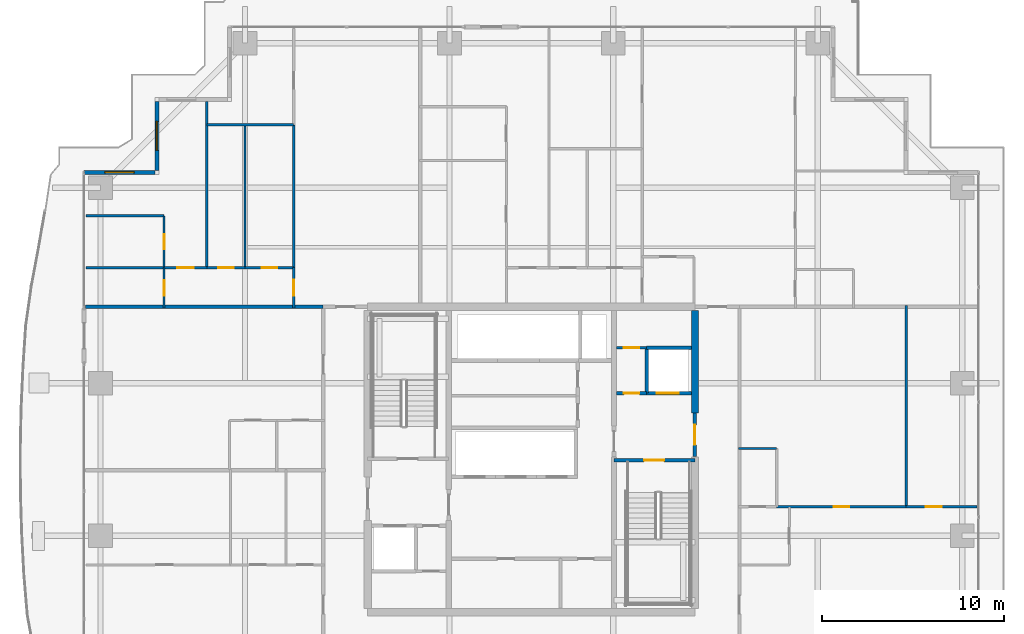
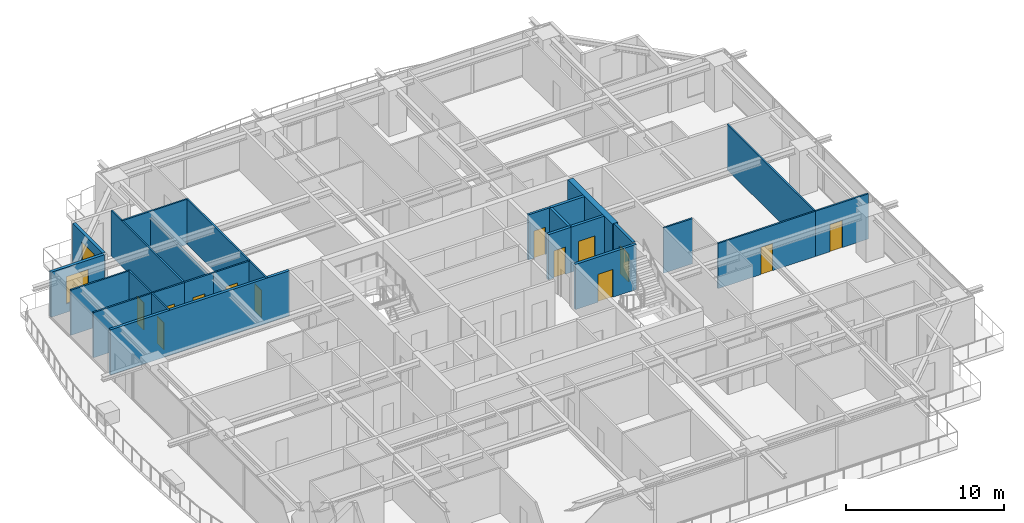
# One storey, part 29 of 37: 27 walls, 13 doors, 2 windows, 15 openings.
"""IFC4 building model written with IfcOpenShell, lengths in metres."""

from ifc_helpers import new_model, si_unit, direction, frame, frame_2d, origin, place, context, subcontext, project, spatial, rectangle, extrude, source, transform, mapped, material, layer, layer_set, type_object, element, fill, save


model = new_model("IFC4")

# Units and contexts
model_context = context("Model", 3, precision=1e-05, world=origin(), true_north=direction((0.0, 1.0)))
body_context = subcontext(model_context, "Body", "Model", "MODEL_VIEW")
ifc_project = project(units=[si_unit("LENGTHUNIT", "METRE"), si_unit("AREAUNIT", "SQUARE_METRE"), si_unit("VOLUMEUNIT", "CUBIC_METRE"), si_unit("PLANEANGLEUNIT", "RADIAN"), si_unit("MASSUNIT", "GRAM", prefix="KILO")], contexts=[model_context])

# Site, building, storey
site_placement = place(None, origin())
site = spatial("IfcSite", under=ifc_project, at=site_placement, CompositionType="ELEMENT")
building_placement = place(site_placement, origin())
building = spatial("IfcBuilding", under=site, at=building_placement, Name="Serunith Strait Residences", CompositionType="ELEMENT")
storey_placement = place(building_placement, frame((0.0, 0.0, 153.89990234375)))
storey = spatial("IfcBuildingStorey", under=building, at=storey_placement, Name="L38", CompositionType="ELEMENT", Elevation=153.89990234375)

# Wall, opening, window
ifc_material_1 = material(Name="Pale-Champagne Aluminium Insulated Panel", Category="aluminium")
ifc_layer_1 = layer(ifc_material_1, 0.219970703125, Name="Pale-Champagne Aluminium Insulated Panel")
ifc_layer_set_1 = layer_set([ifc_layer_1], Name="Pale-Champagne Aluminium Insulated Panel")
wall_type_1 = type_object("IfcWallType", Name="EW-ALUM-220", PredefinedType="ELEMENTEDWALL", material=ifc_layer_set_1)
wall_1_placement = place(storey_placement, frame((11.800048828125, 44.889892578125, 0.0), z_axis=(0.0, 0.0, 1.0), x_axis=(0.0, -1.0, 0.0)))
wall_1 = element("IfcWall", 1, at=wall_1_placement, inside=storey, type_object=wall_type_1, Name="L38 Girih Serrated Corner Wall 14", PredefinedType="ELEMENTEDWALL", context=body_context, shape_type="SweptSolid", body=[
    extrude(rectangle(XDim=3.77978515625, YDim=0.219970703125, at=frame_2d((1.889892578125, 0.0))), origin(), (0.0, 0.0, 1.0), 3.47509765625),
])
opening_1_placement = place(wall_1_placement, frame((1.090087890625, 0.0, 0.64990234375)))
opening_1 = element("IfcOpeningElement", 2, at=opening_1_placement, cuts=wall_1, Name="Opening W-02", PredefinedType="OPENING", context=body_context, shape_type="SweptSolid", body=[
    extrude(rectangle(XDim=1.60009765625, YDim=2.10009765625, at=frame_2d((0.800048828125, 1.050048828125))), frame((0.0, 0.1201171875, 0.0), z_axis=(0.0, -1.0, 0.0), x_axis=(1.0, 0.0, 0.0)), (0.0, 0.0, 1.0), 0.239990234375),
])
ifc_material_2 = material(Name="Ceramic-Fritted Operable Aluminium Window Glass", Category="aluminium")
window_type = type_object("IfcWindowType", Name="WIN-C2", PartitioningType="DOUBLE_PANEL_VERTICAL", PredefinedType="WINDOW", material=ifc_material_2)
shared_shape_1 = source(origin(), body_context, "Body", "SweptSolid", [
    extrude(rectangle(XDim=1.60009765625, YDim=2.10009765625, at=frame_2d((0.800048828125, 1.050048828125))), frame((0.0, 0.030029296875, 0.0), z_axis=(0.0, -1.0, 0.0), x_axis=(1.0, 0.0, 0.0)), (0.0, 0.0, 1.0), 0.06005859375),
])
window_1_placement = place(opening_1_placement, origin())
window_1 = element("IfcWindow", 3, at=window_1_placement, inside=storey, type_object=window_type, Name="L38 Corner Operable Fritted Window 14", OverallHeight=2.10009765625, OverallWidth=1.60009765625, PartitioningType="SINGLE_PANEL", PredefinedType="WINDOW", context=body_context, shape_type="MappedRepresentation", body=[
    mapped(shared_shape_1, transform((0.0, 0.0, 0.0), scale=1.0)),
])
fill(opening_1, window_1)

wall_2_placement = place(storey_placement, frame((11.68994140625, 41.0, 0.0), z_axis=(0.0, 0.0, 1.0), x_axis=(-1.0, 0.0, 0.0)))
wall_2 = element("IfcWall", 4, at=wall_2_placement, inside=storey, type_object=wall_type_1, Name="L38 Girih Serrated Corner Wall 15", PredefinedType="ELEMENTEDWALL", context=body_context, shape_type="SweptSolid", body=[
    extrude(rectangle(XDim=3.889892578125, YDim=0.219970703125, at=frame_2d((1.94482421875, 0.0))), origin(), (0.0, 0.0, 1.0), 3.47509765625),
])
opening_2_placement = place(wall_2_placement, frame((1.14501953125, 0.0, 0.64990234375)))
opening_2 = element("IfcOpeningElement", 5, at=opening_2_placement, cuts=wall_2, Name="Opening W-02", PredefinedType="OPENING", context=body_context, shape_type="SweptSolid", body=[
    extrude(rectangle(XDim=1.60009765625, YDim=2.10009765625, at=frame_2d((0.800048828125, 1.050048828125))), frame((0.0, 0.1201171875, 0.0), z_axis=(0.0, -1.0, 0.0), x_axis=(1.0, 0.0, 0.0)), (0.0, 0.0, 1.0), 0.239990234375),
])
window_2_placement = place(opening_2_placement, origin())
window_2 = element("IfcWindow", 6, at=window_2_placement, inside=storey, type_object=window_type, Name="L38 Corner Operable Fritted Window 15", OverallHeight=2.10009765625, OverallWidth=1.60009765625, PartitioningType="SINGLE_PANEL", PredefinedType="WINDOW", context=body_context, shape_type="MappedRepresentation", body=[
    mapped(shared_shape_1, transform((0.0, 0.0, 0.0), scale=1.0)),
])
fill(opening_2, window_2)

# Wall, opening, door
ifc_material_3 = material(Name="Fire-rated masonry service closet wall", Category="masonry")
ifc_layer_2 = layer(ifc_material_3, 0.14990234375, Name="Fire-rated masonry service closet wall")
ifc_layer_set_2 = layer_set([ifc_layer_2], Name="Fire-rated masonry service closet wall")
wall_type_2 = type_object("IfcWallType", Name="IW-BOH-150", PredefinedType="PARTITIONING", material=ifc_layer_set_2)
wall_3_placement = place(storey_placement, frame((37.10009765625, 31.35009765625, 0.0), z_axis=(0.0, 0.0, 1.0), x_axis=(1.0, 0.0, 0.0)))
wall_3 = element("IfcWall", 7, at=wall_3_placement, inside=storey, type_object=wall_type_2, Name="L38 Partition Wall 013", PredefinedType="PARTITIONING", context=body_context, shape_type="SweptSolid", body=[
    extrude(rectangle(XDim=1.64794921875, YDim=0.14990234375, at=frame_2d((0.823974609375, 0.0))), origin(), (0.0, 0.0, 1.0), 3.489990234375),
])
opening_3_placement = place(wall_3_placement, frame((0.39892578125, 0.0, 0.0)))
opening_3 = element("IfcOpeningElement", 8, at=opening_3_placement, cuts=wall_3, Name="Opening FD-850", PredefinedType="OPENING", context=body_context, shape_type="SweptSolid", body=[
    extrude(rectangle(XDim=0.85009765625, YDim=2.10009765625, at=frame_2d((0.425048828125, 1.050048828125))), frame((0.0, 0.0849609375, 0.0), z_axis=(0.0, -1.0, 0.0), x_axis=(1.0, 0.0, 0.0)), (0.0, 0.0, 1.0), 0.169921875),
])
ifc_material_4 = material(Name="Powder-coated steel service closet door", Category="steel")
door_type_1 = type_object("IfcDoorType", Name="FD-BOH-850", OperationType="NOTDEFINED", PredefinedType="DOOR", material=ifc_material_4)
shared_shape_2 = source(origin(), body_context, "Body", "SweptSolid", [
    extrude(rectangle(XDim=0.85009765625, YDim=2.10009765625, at=frame_2d((0.425048828125, 1.050048828125))), frame((0.0, 0.02490234375, 0.0), z_axis=(0.0, -1.0, 0.0), x_axis=(1.0, 0.0, 0.0)), (0.0, 0.0, 1.0), 0.050048828125),
])
door_1_placement = place(opening_3_placement, origin())
door_1 = element("IfcDoor", 9, at=door_1_placement, inside=storey, type_object=door_type_1, Name="L38 Refuse Store Door", OperationType="SINGLE_SWING_LEFT", OverallHeight=2.10009765625, OverallWidth=0.85009765625, PredefinedType="DOOR", context=body_context, shape_type="MappedRepresentation", body=[
    mapped(shared_shape_2, transform((0.0, 0.0, 0.0), scale=1.0)),
])
fill(opening_3, door_1)

ifc_material_5 = material(Name="Lightweight steel-stud gypsum partition", Category="steel")
ifc_layer_3 = layer(ifc_material_5, 0.1201171875, Name="Lightweight steel-stud gypsum partition")
ifc_layer_set_3 = layer_set([ifc_layer_3], Name="Lightweight steel-stud gypsum partition")
wall_type_3 = type_object("IfcWallType", Name="IW-PART-120", PredefinedType="PARTITIONING", material=ifc_layer_set_3)
wall_4_placement = place(storey_placement, frame((19.330078125, 35.75, 0.0), z_axis=(0.0, 0.0, 1.0), x_axis=(0.0, -1.0, 0.0)))
wall_4 = element("IfcWall", 10, at=wall_4_placement, inside=storey, type_object=wall_type_3, Name="L38 Partition Wall 069", PredefinedType="PARTITIONING", context=body_context, shape_type="SweptSolid", body=[
    extrude(rectangle(XDim=2.2099609375, YDim=0.1201171875, at=frame_2d((1.10498046875, 0.0))), origin(), (0.0, 0.0, 1.0), 3.489990234375),
])
opening_4_placement = place(wall_4_placement, frame((0.655029296875, 0.0, 0.0)))
opening_4 = element("IfcOpeningElement", 11, at=opening_4_placement, cuts=wall_4, Name="Opening D-RM900", PredefinedType="OPENING", context=body_context, shape_type="SweptSolid", body=[
    extrude(rectangle(XDim=0.89990234375, YDim=2.10009765625, at=frame_2d((0.449951171875, 1.050048828125))), frame((0.0, 0.070068359375, 0.0), z_axis=(0.0, -1.0, 0.0), x_axis=(1.0, 0.0, 0.0)), (0.0, 0.0, 1.0), 0.14013671875),
])
ifc_material_6 = material(Name="Engineered timber flush bedroom door", Category="wood")
door_type_2 = type_object("IfcDoorType", Name="ID-ROOM-900", OperationType="NOTDEFINED", PredefinedType="DOOR", material=ifc_material_6)
shared_shape_3 = source(origin(), body_context, "Body", "SweptSolid", [
    extrude(rectangle(XDim=0.89990234375, YDim=2.10009765625, at=frame_2d((0.449951171875, 1.050048828125))), frame((0.0, 0.02490234375, 0.0), z_axis=(0.0, -1.0, 0.0), x_axis=(1.0, 0.0, 0.0)), (0.0, 0.0, 1.0), 0.050048828125),
])
door_2_placement = place(opening_4_placement, origin())
door_2 = element("IfcDoor", 12, at=door_2_placement, inside=storey, type_object=door_type_2, Name="L38 Hall W 3803 Door", OperationType="SINGLE_SWING_RIGHT", OverallHeight=2.10009765625, OverallWidth=0.89990234375, PredefinedType="DOOR", context=body_context, shape_type="MappedRepresentation", body=[
    mapped(shared_shape_3, transform((0.0, 0.0, 0.0), scale=1.0)),
])
fill(opening_4, door_2)

# Walls
wall_5_placement = place(storey_placement, frame((19.330078125, 43.613037109375, 0.0), z_axis=(0.0, 0.0, 1.0), x_axis=(0.0, -1.0, 0.0)))
element("IfcWall", 13, at=wall_5_placement, inside=storey, type_object=wall_type_3, Name="L38 Partition Wall 071", PredefinedType="PARTITIONING", context=body_context, shape_type="SweptSolid", body=[
    extrude(rectangle(XDim=7.861083984375, YDim=0.1201171875, at=frame_2d((3.9306640625, 0.0))), origin(), (0.0, 0.0, 1.0), 3.489990234375),
])
wall_6_placement = place(storey_placement, frame((14.550048828125, 43.614990234375, 0.0), z_axis=(0.0, 0.0, 1.0), x_axis=(1.0, 0.0, 0.0)))
element("IfcWall", 14, at=wall_6_placement, inside=storey, type_object=wall_type_3, Name="L38 Partition Wall 072", PredefinedType="PARTITIONING", context=body_context, shape_type="SweptSolid", body=[
    extrude(rectangle(XDim=4.780029296875, YDim=0.1201171875, at=frame_2d((2.39013671875, 0.0))), origin(), (0.0, 0.0, 1.0), 3.489990234375),
])
wall_7_placement = place(storey_placement, frame((14.550048828125, 44.905029296875, 0.0), z_axis=(0.0, 0.0, 1.0), x_axis=(0.0, -1.0, 0.0)))
element("IfcWall", 15, at=wall_7_placement, inside=storey, type_object=wall_type_3, Name="L38 Partition Wall 073", PredefinedType="PARTITIONING", context=body_context, shape_type="SweptSolid", body=[
    extrude(rectangle(XDim=9.155029296875, YDim=0.1201171875, at=frame_2d((4.57763671875, 0.0))), origin(), (0.0, 0.0, 1.0), 3.489990234375),
])
wall_8_placement = place(storey_placement, frame((16.64990234375, 43.614990234375, 0.0), z_axis=(0.0, 0.0, 1.0), x_axis=(0.0, -1.0, 0.0)))
element("IfcWall", 16, at=wall_8_placement, inside=storey, type_object=wall_type_3, Name="L38 Partition Wall 074", PredefinedType="PARTITIONING", context=body_context, shape_type="SweptSolid", body=[
    extrude(rectangle(XDim=7.864990234375, YDim=0.1201171875, at=frame_2d((3.9326171875, 0.0))), origin(), (0.0, 0.0, 1.0), 2.97216796875),
])

# Wall, opening, door
wall_9_placement = place(storey_placement, frame((14.550048828125, 35.75, 0.0), z_axis=(0.0, 0.0, 1.0), x_axis=(1.0, 0.0, 0.0)))
wall_9 = element("IfcWall", 17, at=wall_9_placement, inside=storey, type_object=wall_type_3, Name="L38 Partition Wall 075", PredefinedType="PARTITIONING", context=body_context, shape_type="SweptSolid", body=[
    extrude(rectangle(XDim=2.099853515625, YDim=0.1201171875, at=frame_2d((1.0498046875, 0.0))), origin(), (0.0, 0.0, 1.0), 3.489990234375),
])
opening_5_placement = place(wall_9_placement, frame((0.625, 0.0, 0.0)))
opening_5 = element("IfcOpeningElement", 18, at=opening_5_placement, cuts=wall_9, Name="Opening D-BTH850", PredefinedType="OPENING", context=body_context, shape_type="SweptSolid", body=[
    extrude(rectangle(XDim=0.85009765625, YDim=2.10009765625, at=frame_2d((0.425048828125, 1.050048828125))), frame((0.0, 0.070068359375, 0.0), z_axis=(0.0, -1.0, 0.0), x_axis=(1.0, 0.0, 0.0)), (0.0, 0.0, 1.0), 0.14013671875),
])
ifc_material_7 = material(Name="Moisture-resistant timber bathroom door", Category="wood")
door_type_3 = type_object("IfcDoorType", Name="ID-BATH-850", OperationType="NOTDEFINED", PredefinedType="DOOR", material=ifc_material_7)
door_3_placement = place(opening_5_placement, origin())
door_3 = element("IfcDoor", 19, at=door_3_placement, inside=storey, type_object=door_type_3, Name="L38 Bathroom 3803 Door", OperationType="SINGLE_SWING_RIGHT", OverallHeight=2.10009765625, OverallWidth=0.85009765625, PredefinedType="DOOR", context=body_context, shape_type="MappedRepresentation", body=[
    mapped(shared_shape_2, transform((0.0, 0.0, 0.0), scale=1.0)),
])
fill(opening_5, door_3)

wall_10_placement = place(storey_placement, frame((16.652099609375, 35.75, 0.0), z_axis=(0.0, 0.0, 1.0), x_axis=(1.0, 0.0, 0.0)))
wall_10 = element("IfcWall", 20, at=wall_10_placement, inside=storey, type_object=wall_type_3, Name="L38 Partition Wall 076", PredefinedType="PARTITIONING", context=body_context, shape_type="SweptSolid", body=[
    extrude(rectangle(XDim=2.677978515625, YDim=0.1201171875, at=frame_2d((1.3388671875, 0.0))), origin(), (0.0, 0.0, 1.0), 3.489990234375),
])
opening_6_placement = place(wall_10_placement, frame((0.9140625, 0.0, 0.0)))
opening_6 = element("IfcOpeningElement", 21, at=opening_6_placement, cuts=wall_10, Name="Opening D-RM850", PredefinedType="OPENING", context=body_context, shape_type="SweptSolid", body=[
    extrude(rectangle(XDim=0.85009765625, YDim=2.10009765625, at=frame_2d((0.425048828125, 1.050048828125))), frame((0.0, 0.070068359375, 0.0), z_axis=(0.0, -1.0, 0.0), x_axis=(1.0, 0.0, 0.0)), (0.0, 0.0, 1.0), 0.14013671875),
])
ifc_material_8 = material(Name="Engineered timber flush study and kitchen door", Category="wood")
door_type_4 = type_object("IfcDoorType", Name="ID-ROOM-850", OperationType="NOTDEFINED", PredefinedType="DOOR", material=ifc_material_8)
door_4_placement = place(opening_6_placement, origin())
door_4 = element("IfcDoor", 22, at=door_4_placement, inside=storey, type_object=door_type_4, Name="L38 Kitchen 3803 Door", OperationType="SINGLE_SWING_LEFT", OverallHeight=2.10009765625, OverallWidth=0.85009765625, PredefinedType="DOOR", context=body_context, shape_type="MappedRepresentation", body=[
    mapped(shared_shape_2, transform((0.0, 0.0, 0.0), scale=1.0)),
])
fill(opening_6, door_4)

wall_11_placement = place(storey_placement, frame((12.199951171875, 35.75, 0.0), z_axis=(0.0, 0.0, 1.0), x_axis=(1.0, 0.0, 0.0)))
wall_11 = element("IfcWall", 23, at=wall_11_placement, inside=storey, type_object=wall_type_3, Name="L38 Partition Wall 077", PredefinedType="PARTITIONING", context=body_context, shape_type="SweptSolid", body=[
    extrude(rectangle(XDim=2.34814453125, YDim=0.1201171875, at=frame_2d((1.174072265625, 0.0))), origin(), (0.0, 0.0, 1.0), 3.489990234375),
])
opening_7_placement = place(wall_11_placement, frame((0.72412109375, 0.0, 0.0)))
opening_7 = element("IfcOpeningElement", 24, at=opening_7_placement, cuts=wall_11, Name="Opening D-RM900", PredefinedType="OPENING", context=body_context, shape_type="SweptSolid", body=[
    extrude(rectangle(XDim=0.89990234375, YDim=2.10009765625, at=frame_2d((0.449951171875, 1.050048828125))), frame((0.0, 0.070068359375, 0.0), z_axis=(0.0, -1.0, 0.0), x_axis=(1.0, 0.0, 0.0)), (0.0, 0.0, 1.0), 0.14013671875),
])
door_5_placement = place(opening_7_placement, origin())
door_5 = element("IfcDoor", 25, at=door_5_placement, inside=storey, type_object=door_type_2, Name="L38 Master Bedroom W 3803 Door", OperationType="SINGLE_SWING_RIGHT", OverallHeight=2.10009765625, OverallWidth=0.89990234375, PredefinedType="DOOR", context=body_context, shape_type="MappedRepresentation", body=[
    mapped(shared_shape_3, transform((0.0, 0.0, 0.0), scale=1.0)),
])
fill(opening_7, door_5)

# Walls
wall_12_placement = place(storey_placement, frame((7.89501953125, 38.60693359375, 0.0), z_axis=(0.0, 0.0, 1.0), x_axis=(1.0, 0.0, 0.0)))
element("IfcWall", 26, at=wall_12_placement, inside=storey, type_object=wall_type_3, Name="L38 Partition Wall 078", PredefinedType="PARTITIONING", context=body_context, shape_type="SweptSolid", body=[
    extrude(rectangle(XDim=4.304931640625, YDim=0.1201171875, at=frame_2d((2.15234375, 0.0))), origin(), (0.0, 0.0, 1.0), 3.489990234375),
])
wall_13_placement = place(storey_placement, frame((7.89501953125, 35.75, 0.0), z_axis=(0.0, 0.0, 1.0), x_axis=(1.0, 0.0, 0.0)))
element("IfcWall", 27, at=wall_13_placement, inside=storey, type_object=wall_type_3, Name="L38 Partition Wall 079", PredefinedType="PARTITIONING", context=body_context, shape_type="SweptSolid", body=[
    extrude(rectangle(XDim=4.302978515625, YDim=0.1201171875, at=frame_2d((2.1513671875, 0.0))), origin(), (0.0, 0.0, 1.0), 3.489990234375),
])

# Wall, opening, door
wall_14_placement = place(storey_placement, frame((12.199951171875, 38.60693359375, 0.0), z_axis=(0.0, 0.0, 1.0), x_axis=(0.0, -1.0, 0.0)))
wall_14 = element("IfcWall", 28, at=wall_14_placement, inside=storey, type_object=wall_type_3, Name="L38 Partition Wall 080", PredefinedType="PARTITIONING", context=body_context, shape_type="SweptSolid", body=[
    extrude(rectangle(XDim=2.85693359375, YDim=0.1201171875, at=frame_2d((1.428466796875, 0.0))), origin(), (0.0, 0.0, 1.0), 3.489990234375),
])
opening_8_placement = place(wall_14_placement, frame((1.0029296875, 0.0, 0.0)))
opening_8 = element("IfcOpeningElement", 29, at=opening_8_placement, cuts=wall_14, Name="Opening D-BTH850", PredefinedType="OPENING", context=body_context, shape_type="SweptSolid", body=[
    extrude(rectangle(XDim=0.85009765625, YDim=2.10009765625, at=frame_2d((0.425048828125, 1.050048828125))), frame((0.0, 0.070068359375, 0.0), z_axis=(0.0, -1.0, 0.0), x_axis=(1.0, 0.0, 0.0)), (0.0, 0.0, 1.0), 0.14013671875),
])
door_6_placement = place(opening_8_placement, origin())
door_6 = element("IfcDoor", 30, at=door_6_placement, inside=storey, type_object=door_type_3, Name="L38 En-suite Bathroom W 3803 Door", OperationType="SINGLE_SWING_LEFT", OverallHeight=2.10009765625, OverallWidth=0.85009765625, PredefinedType="DOOR", context=body_context, shape_type="MappedRepresentation", body=[
    mapped(shared_shape_2, transform((0.0, 0.0, 0.0), scale=1.0)),
])
fill(opening_8, door_6)

wall_15_placement = place(storey_placement, frame((12.199951171875, 35.748046875, 0.0), z_axis=(0.0, 0.0, 1.0), x_axis=(0.0, -1.0, 0.0)))
wall_15 = element("IfcWall", 31, at=wall_15_placement, inside=storey, type_object=wall_type_3, Name="L38 Partition Wall 081", PredefinedType="PARTITIONING", context=body_context, shape_type="SweptSolid", body=[
    extrude(rectangle(XDim=2.2080078125, YDim=0.1201171875, at=frame_2d((1.10400390625, 0.0))), origin(), (0.0, 0.0, 1.0), 3.489990234375),
])
opening_9_placement = place(wall_15_placement, frame((0.678955078125, 0.0, 0.0)))
opening_9 = element("IfcOpeningElement", 32, at=opening_9_placement, cuts=wall_15, Name="Opening D-RM850", PredefinedType="OPENING", context=body_context, shape_type="SweptSolid", body=[
    extrude(rectangle(XDim=0.85009765625, YDim=2.10009765625, at=frame_2d((0.425048828125, 1.050048828125))), frame((0.0, 0.070068359375, 0.0), z_axis=(0.0, -1.0, 0.0), x_axis=(1.0, 0.0, 0.0)), (0.0, 0.0, 1.0), 0.14013671875),
])
door_7_placement = place(opening_9_placement, origin())
door_7 = element("IfcDoor", 33, at=door_7_placement, inside=storey, type_object=door_type_4, Name="L38 Wardrobe W 3803 Door", OperationType="SINGLE_SWING_RIGHT", OverallHeight=2.10009765625, OverallWidth=0.85009765625, PredefinedType="DOOR", context=body_context, shape_type="MappedRepresentation", body=[
    mapped(shared_shape_2, transform((0.0, 0.0, 0.0), scale=1.0)),
])
fill(opening_9, door_7)

wall_16_placement = place(storey_placement, frame((56.905029296875, 22.60009765625, 0.0), z_axis=(0.0, 0.0, 1.0), x_axis=(-1.0, 0.0, 0.0)))
wall_16 = element("IfcWall", 34, at=wall_16_placement, inside=storey, type_object=wall_type_3, Name="L38 Partition Wall 115", PredefinedType="PARTITIONING", context=body_context, shape_type="SweptSolid", body=[
    extrude(rectangle(XDim=3.879150390625, YDim=0.1201171875, at=frame_2d((1.939453125, 0.0))), origin(), (0.0, 0.0, 1.0), 3.489990234375),
])
opening_10_placement = place(wall_16_placement, frame((1.91796875, 0.0, 0.0)))
opening_10 = element("IfcOpeningElement", 35, at=opening_10_placement, cuts=wall_16, Name="Opening D-RM900", PredefinedType="OPENING", context=body_context, shape_type="SweptSolid", body=[
    extrude(rectangle(XDim=0.89990234375, YDim=2.10009765625, at=frame_2d((0.449951171875, 1.050048828125))), frame((0.0, 0.070068359375, 0.0), z_axis=(0.0, -1.0, 0.0), x_axis=(1.0, 0.0, 0.0)), (0.0, 0.0, 1.0), 0.14013671875),
])
door_8_placement = place(opening_10_placement, origin())
door_8 = element("IfcDoor", 36, at=door_8_placement, inside=storey, type_object=door_type_2, Name="L38 Master Bedroom 1 3807 Door", OperationType="SINGLE_SWING_RIGHT", OverallHeight=2.10009765625, OverallWidth=0.89990234375, PredefinedType="DOOR", context=body_context, shape_type="MappedRepresentation", body=[
    mapped(shared_shape_3, transform((0.0, 0.0, 0.0), scale=1.0)),
])
fill(opening_10, door_8)

# Walls
wall_17_placement = place(storey_placement, frame((53.02587890625, 22.60009765625, 0.0), z_axis=(0.0, 0.0, 1.0), x_axis=(0.0, 1.0, 0.0)))
element("IfcWall", 37, at=wall_17_placement, inside=storey, type_object=wall_type_3, Name="L38 Partition Wall 116", PredefinedType="PARTITIONING", context=body_context, shape_type="SweptSolid", body=[
    extrude(rectangle(XDim=11.059814453125, YDim=0.1201171875, at=frame_2d((5.52978515625, 0.0))), origin(), (0.0, 0.0, 1.0), 3.489990234375),
])
wall_18_placement = place(storey_placement, frame((45.89990234375, 25.800048828125, 0.0), z_axis=(0.0, 0.0, 1.0), x_axis=(-1.0, 0.0, 0.0)))
element("IfcWall", 38, at=wall_18_placement, inside=storey, type_object=wall_type_3, Name="L38 Partition Wall 118", PredefinedType="PARTITIONING", context=body_context, shape_type="SweptSolid", body=[
    extrude(rectangle(XDim=2.10986328125, YDim=0.1201171875, at=frame_2d((1.054931640625, 0.0))), origin(), (0.0, 0.0, 1.0), 3.489990234375),
])

# Wall, opening, door
wall_19_placement = place(storey_placement, frame((53.02392578125, 22.60009765625, 0.0), z_axis=(0.0, 0.0, 1.0), x_axis=(-1.0, 0.0, 0.0)))
wall_19 = element("IfcWall", 39, at=wall_19_placement, inside=storey, type_object=wall_type_3, Name="L38 Partition Wall 119", PredefinedType="PARTITIONING", context=body_context, shape_type="SweptSolid", body=[
    extrude(rectangle(XDim=7.1240234375, YDim=0.1201171875, at=frame_2d((3.56201171875, 0.0))), origin(), (0.0, 0.0, 1.0), 3.489990234375),
])
opening_11_placement = place(wall_19_placement, frame((3.136962890625, 0.0, 0.0)))
opening_11 = element("IfcOpeningElement", 40, at=opening_11_placement, cuts=wall_19, Name="Opening D-RM850", PredefinedType="OPENING", context=body_context, shape_type="SweptSolid", body=[
    extrude(rectangle(XDim=0.85009765625, YDim=2.10009765625, at=frame_2d((0.425048828125, 1.050048828125))), frame((0.0, 0.070068359375, 0.0), z_axis=(0.0, -1.0, 0.0), x_axis=(1.0, 0.0, 0.0)), (0.0, 0.0, 1.0), 0.14013671875),
])
door_9_placement = place(opening_11_placement, origin())
door_9 = element("IfcDoor", 41, at=door_9_placement, inside=storey, type_object=door_type_4, Name="L38 Walk-in Wardrobe 3807 Door", OperationType="SINGLE_SWING_LEFT", OverallHeight=2.10009765625, OverallWidth=0.85009765625, PredefinedType="DOOR", context=body_context, shape_type="MappedRepresentation", body=[
    mapped(shared_shape_2, transform((0.0, 0.0, 0.0), scale=1.0)),
])
fill(opening_11, door_9)

# Wall
ifc_material_9 = material(Name="Twin-stud acoustic gypsum board partition")
ifc_layer_4 = layer(ifc_material_9, 0.199951171875, Name="Twin-stud acoustic gypsum board partition")
ifc_layer_set_4 = layer_set([ifc_layer_4], Name="Twin-stud acoustic gypsum board partition")
wall_type_4 = type_object("IfcWallType", Name="IW-PARTY-200", PredefinedType="PARTITIONING", material=ifc_layer_set_4)
wall_20_placement = place(storey_placement, frame((7.882080078125, 33.60009765625, 0.0), z_axis=(0.0, 0.0, 1.0), x_axis=(1.0, 0.0, 0.0)))
element("IfcWall", 42, at=wall_20_placement, inside=storey, type_object=wall_type_4, Name="L38 Partition Wall 025", PredefinedType="PARTITIONING", context=body_context, shape_type="SweptSolid", body=[
    extrude(rectangle(XDim=13.06787109375, YDim=0.199951171875, at=frame_2d((6.533935546875, 0.0))), origin(), (0.0, 0.0, 1.0), 3.489990234375),
])

# Wall, opening, door
ifc_material_10 = material(Name="Autoclaved aerated concrete blockwork", Category="masonry")
ifc_layer_5 = layer(ifc_material_10, 0.199951171875, Name="Autoclaved aerated concrete blockwork")
ifc_layer_set_5 = layer_set([ifc_layer_5], Name="Autoclaved aerated concrete blockwork")
wall_type_5 = type_object("IfcWallType", Name="IW-SHAFT-200", PredefinedType="STANDARD", material=ifc_layer_set_5)
wall_21_placement = place(storey_placement, frame((36.949951171875, 25.14990234375, 0.0), z_axis=(0.0, 0.0, 1.0), x_axis=(1.0, 0.0, 0.0)))
wall_21 = element("IfcWall", 43, at=wall_21_placement, inside=storey, type_object=wall_type_5, Name="L38 ST-2 North Shaft Wall", PredefinedType="STANDARD", context=body_context, shape_type="SweptSolid", body=[
    extrude(rectangle(XDim=4.449951171875, YDim=0.199951171875, at=frame_2d((2.22509765625, 0.0))), origin(), (0.0, 0.0, 1.0), 3.489990234375),
])
opening_12_placement = place(wall_21_placement, frame((1.64990234375, 0.0, 0.0)))
opening_12 = element("IfcOpeningElement", 44, at=opening_12_placement, cuts=wall_21, Name="Opening FD-1100", PredefinedType="OPENING", context=body_context, shape_type="SweptSolid", body=[
    extrude(rectangle(XDim=1.10009765625, YDim=2.14990234375, at=frame_2d((0.550048828125, 1.074951171875))), frame((0.0, 0.10986328125, 0.0), z_axis=(0.0, -1.0, 0.0), x_axis=(1.0, 0.0, 0.0)), (0.0, 0.0, 1.0), 0.219970703125),
])
ifc_material_11 = material(Name="Galvanised steel fire door leaf", Category="steel")
door_type_5 = type_object("IfcDoorType", Name="FD-STAIR-1100", OperationType="NOTDEFINED", PredefinedType="DOOR", material=ifc_material_11)
shared_shape_4 = source(origin(), body_context, "Body", "SweptSolid", [
    extrude(rectangle(XDim=1.10009765625, YDim=2.14990234375, at=frame_2d((0.550048828125, 1.074951171875))), frame((0.0, 0.02490234375, 0.0), z_axis=(0.0, -1.0, 0.0), x_axis=(1.0, 0.0, 0.0)), (0.0, 0.0, 1.0), 0.050048828125),
])
door_10_placement = place(opening_12_placement, origin())
door_10 = element("IfcDoor", 45, at=door_10_placement, inside=storey, type_object=door_type_5, Name="L38 ST-2 Escape Stair Door", OperationType="SINGLE_SWING_LEFT", OverallHeight=2.14990234375, OverallWidth=1.10009765625, PredefinedType="DOOR", context=body_context, shape_type="MappedRepresentation", body=[
    mapped(shared_shape_4, transform((0.0, 0.0, 0.0), scale=1.0)),
])
fill(opening_12, door_10)

wall_22_placement = place(storey_placement, frame((38.75, 28.85009765625, 0.0), z_axis=(0.0, 0.0, 1.0), x_axis=(1.0, 0.0, 0.0)))
wall_22 = element("IfcWall", 46, at=wall_22_placement, inside=storey, type_object=wall_type_5, Name="L38 FL-2 South Shaft Wall", PredefinedType="STANDARD", context=body_context, shape_type="SweptSolid", body=[
    extrude(rectangle(XDim=2.449951171875, YDim=0.199951171875, at=frame_2d((1.22509765625, 0.0))), origin(), (0.0, 0.0, 1.0), 3.489990234375),
])
opening_13_placement = place(wall_22_placement, frame((0.550048828125, 0.0, 0.0)))
opening_13 = element("IfcOpeningElement", 47, at=opening_13_placement, cuts=wall_22, Name="Opening LD-FF1200", PredefinedType="OPENING", context=body_context, shape_type="SweptSolid", body=[
    extrude(rectangle(XDim=1.199951171875, YDim=2.199951171875, at=frame_2d((0.60009765625, 1.10009765625))), frame((0.0, 0.10986328125, 0.0), z_axis=(0.0, -1.0, 0.0), x_axis=(1.0, 0.0, 0.0)), (0.0, 0.0, 1.0), 0.219970703125),
])
ifc_material_12 = material(Name="Brushed stainless steel landing door", Category="steel")
door_type_6 = type_object("IfcDoorType", Name="LD-FF-1200", OperationType="DOUBLE_DOOR_SLIDING", PredefinedType="DOOR", material=ifc_material_12)
shared_shape_5 = source(origin(), body_context, "Body", "SweptSolid", [
    extrude(rectangle(XDim=1.199951171875, YDim=2.199951171875, at=frame_2d((0.60009765625, 1.10009765625))), frame((0.0, 0.02490234375, 0.0), z_axis=(0.0, -1.0, 0.0), x_axis=(1.0, 0.0, 0.0)), (0.0, 0.0, 1.0), 0.050048828125),
])
door_11_placement = place(opening_13_placement, origin())
door_11 = element("IfcDoor", 48, at=door_11_placement, inside=storey, type_object=door_type_6, Name="L38 FL-2 Landing Door", OperationType="DOUBLE_DOOR_SLIDING", OverallHeight=2.199951171875, OverallWidth=1.199951171875, PredefinedType="DOOR", context=body_context, shape_type="MappedRepresentation", body=[
    mapped(shared_shape_5, transform((0.0, 0.0, 0.0), scale=1.0)),
])
fill(opening_13, door_11)

# Walls
wall_23_placement = place(storey_placement, frame((38.75, 28.85009765625, 0.0), z_axis=(0.0, 0.0, 1.0), x_axis=(0.0, 1.0, 0.0)))
element("IfcWall", 49, at=wall_23_placement, inside=storey, type_object=wall_type_5, Name="L38 Partition Wall 004", PredefinedType="STANDARD", context=body_context, shape_type="SweptSolid", body=[
    extrude(rectangle(XDim=2.5, YDim=0.199951171875, at=frame_2d((1.25, 0.0))), origin(), (0.0, 0.0, 1.0), 3.489990234375),
])
wall_24_placement = place(storey_placement, frame((38.75, 31.35009765625, 0.0), z_axis=(0.0, 0.0, 1.0), x_axis=(1.0, 0.0, 0.0)))
element("IfcWall", 50, at=wall_24_placement, inside=storey, type_object=wall_type_5, Name="L38 Partition Wall 005", PredefinedType="STANDARD", context=body_context, shape_type="SweptSolid", body=[
    extrude(rectangle(XDim=2.449951171875, YDim=0.199951171875, at=frame_2d((1.22509765625, 0.0))), origin(), (0.0, 0.0, 1.0), 3.489990234375),
])

# Wall, opening, door
wall_25_placement = place(storey_placement, frame((37.10009765625, 28.85009765625, 0.0), z_axis=(0.0, 0.0, 1.0), x_axis=(1.0, 0.0, 0.0)))
wall_25 = element("IfcWall", 51, at=wall_25_placement, inside=storey, type_object=wall_type_5, Name="L38 Partition Wall 006", PredefinedType="STANDARD", context=body_context, shape_type="SweptSolid", body=[
    extrude(rectangle(XDim=1.64794921875, YDim=0.199951171875, at=frame_2d((0.823974609375, 0.0))), origin(), (0.0, 0.0, 1.0), 3.489990234375),
])
opening_14_placement = place(wall_25_placement, frame((0.39892578125, 0.0, 0.0)))
opening_14 = element("IfcOpeningElement", 52, at=opening_14_placement, cuts=wall_25, Name="Opening FD-850", PredefinedType="OPENING", context=body_context, shape_type="SweptSolid", body=[
    extrude(rectangle(XDim=0.85009765625, YDim=2.10009765625, at=frame_2d((0.425048828125, 1.050048828125))), frame((0.0, 0.10986328125, 0.0), z_axis=(0.0, -1.0, 0.0), x_axis=(1.0, 0.0, 0.0)), (0.0, 0.0, 1.0), 0.219970703125),
])
door_12_placement = place(opening_14_placement, origin())
door_12 = element("IfcDoor", 53, at=door_12_placement, inside=storey, type_object=door_type_1, Name="L38 North-East Core Service Door", OperationType="SINGLE_SWING_LEFT", OverallHeight=2.10009765625, OverallWidth=0.85009765625, PredefinedType="DOOR", context=body_context, shape_type="MappedRepresentation", body=[
    mapped(shared_shape_2, transform((0.0, 0.0, 0.0), scale=1.0)),
])
fill(opening_14, door_12)

wall_26_placement = place(storey_placement, frame((41.39990234375, 25.35205078125, 0.0), z_axis=(0.0, 0.0, 1.0), x_axis=(0.0, 1.0, 0.0)))
wall_26 = element("IfcWall", 54, at=wall_26_placement, inside=storey, type_object=wall_type_5, Name="L38 Partition Wall 008", PredefinedType="STANDARD", context=body_context, shape_type="SweptSolid", body=[
    extrude(rectangle(XDim=2.39599609375, YDim=0.199951171875, at=frame_2d((1.197998046875, 0.0))), origin(), (0.0, 0.0, 1.0), 3.489990234375),
])
opening_15_placement = place(wall_26_placement, frame((0.64794921875, 0.0, 0.0)))
opening_15 = element("IfcOpeningElement", 55, at=opening_15_placement, cuts=wall_26, Name="Opening FD-FFL", PredefinedType="OPENING", context=body_context, shape_type="SweptSolid", body=[
    extrude(rectangle(XDim=1.10009765625, YDim=2.14990234375, at=frame_2d((0.550048828125, 1.074951171875))), frame((0.0, 0.10986328125, 0.0), z_axis=(0.0, -1.0, 0.0), x_axis=(1.0, 0.0, 0.0)), (0.0, 0.0, 1.0), 0.219970703125),
])
ifc_material_13 = material(Name="Glazed steel smoke-lobby fire door", Category="steel")
door_type_7 = type_object("IfcDoorType", Name="FD-FFL-1100", OperationType="NOTDEFINED", PredefinedType="DOOR", material=ifc_material_13)
door_13_placement = place(opening_15_placement, origin())
door_13 = element("IfcDoor", 56, at=door_13_placement, inside=storey, type_object=door_type_7, Name="L38 FFL-2 Corridor Fire Door", OperationType="SINGLE_SWING_LEFT", OverallHeight=2.14990234375, OverallWidth=1.10009765625, PredefinedType="DOOR", context=body_context, shape_type="MappedRepresentation", body=[
    mapped(shared_shape_4, transform((0.0, 0.0, 0.0), scale=1.0)),
])
fill(opening_15, door_13)

# Wall
ifc_material_14 = material(Name="Concrete C70/85", Category="concrete")
ifc_layer_6 = layer(ifc_material_14, 0.39990234375, Name="Concrete C70/85")
ifc_layer_set_6 = layer_set([ifc_layer_6], Name="Concrete C70/85")
wall_type_6 = type_object("IfcWallType", Name="SW-400-C70", PredefinedType="SHEAR", material=ifc_layer_set_6)
wall_27_placement = place(storey_placement, frame((41.39990234375, 27.75, -0.260009765625), z_axis=(0.0, 0.0, 1.0), x_axis=(0.0, 1.0, 0.0)))
element("IfcWall", 57, at=wall_27_placement, inside=storey, type_object=wall_type_6, Name="L38 Core East Shear Wall North Pier", PredefinedType="SHEAR", context=body_context, shape_type="SweptSolid", body=[
    extrude(rectangle(XDim=5.64990234375, YDim=0.39990234375, at=frame_2d((2.824951171875, 0.0))), origin(), (0.0, 0.0, 1.0), 3.748046875),
])

save(model, "model.ifc")
